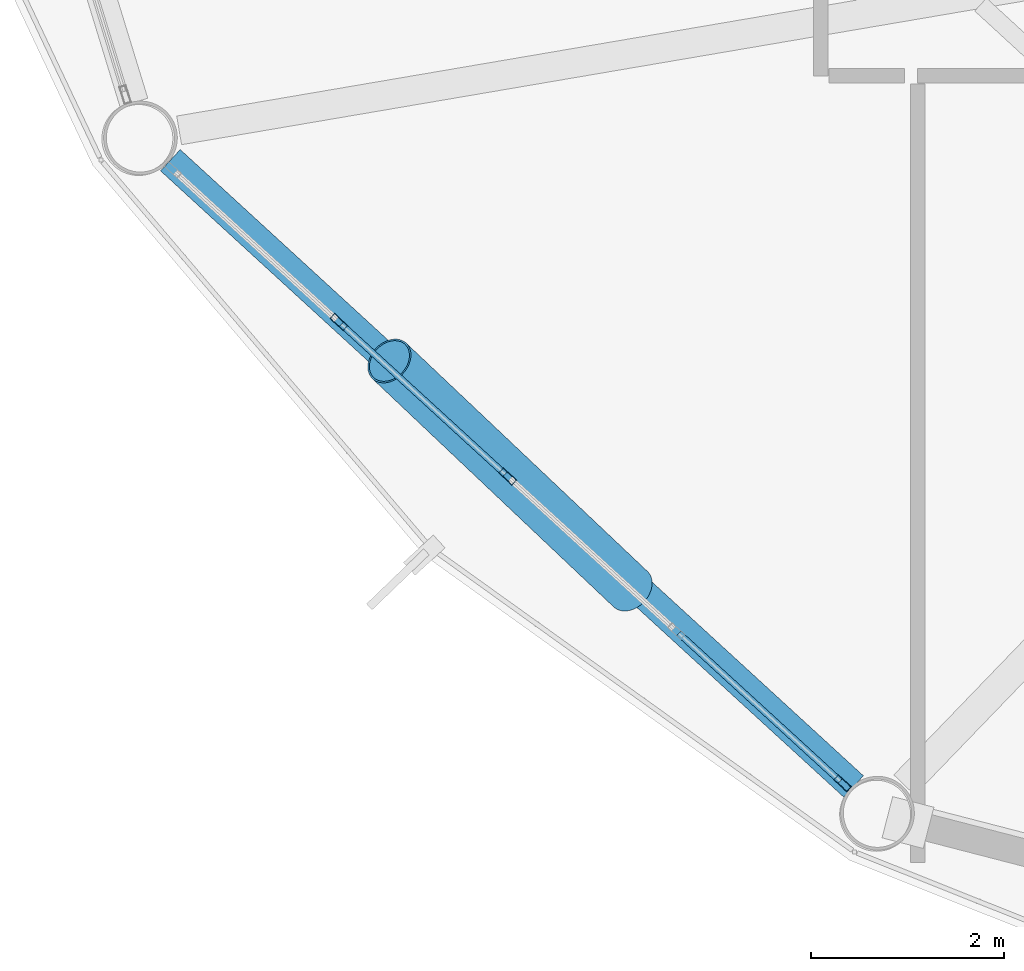
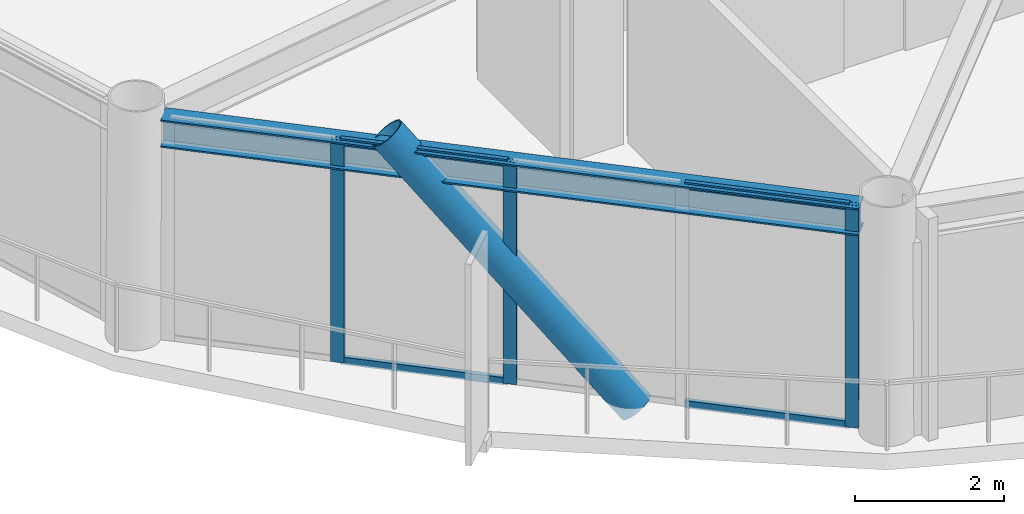
# One storey, part 2 of 26: 8 members, 1 beam, 1 element without a shape of its own.
"""IFC4 building model written with IfcOpenShell, lengths in metres."""

import ifcopenshell
import ifcopenshell.guid

model = None  # the IFC model being written
_history = None  # IfcOwnerHistory: only IFC2X3 demands one
_inside = {}  # id of a spatial element -> (the spatial element, [elements in it])
_under = {}  # id of a project, library or spatial element -> (it, [spatial elements below it])
_declared = {}  # id of a project -> (the project, [libraries it declares])
_typed = {}  # id of a type object -> (the type object, [elements of that type])
_made_of = {}  # id of a material, layer set ... -> (it, [elements and type objects made of it])


def new_model(schema):
    """Start an empty IFC model of exactly this schema.

    Asked for "IFC4X3", IfcOpenShell would pick the latest addendum, in which some entities
    have other attributes; the version numbers below select the first issue.
    IFC2X3 requires an IfcOwnerHistory on every rooted entity: one is made here for all.
    """
    global model, _history
    if schema == "IFC4X3":
        model = ifcopenshell.file(schema_version=(4, 3, 0, 0))
    else:
        model = ifcopenshell.file(schema=schema)
    _inside.clear()
    _under.clear()
    _declared.clear()
    _typed.clear()
    _made_of.clear()
    _history = None
    if model.schema == "IFC2X3":
        org = make("IfcOrganization", Name="unknown")
        user = make(
            "IfcPersonAndOrganization",
            ThePerson=make("IfcPerson", FamilyName="unknown"),
            TheOrganization=org,
        )
        app = make(
            "IfcApplication",
            ApplicationDeveloper=org,
            Version="unknown",
            ApplicationFullName="unknown",
            ApplicationIdentifier="unknown",
        )
        _history = make(
            "IfcOwnerHistory",
            OwningUser=user,
            OwningApplication=app,
            ChangeAction="ADDED",
            CreationDate=0,
        )
    return model


def make(cls, **values):
    """One entity of the class cls with the attributes given. An attribute that is None is left unset."""
    return model.create_entity(
        cls, **{name: value for name, value in values.items() if value is not None}
    )


def rooted(cls, **values):
    """An entity with a GlobalId (a new one), such as an element, a storey or a relation."""
    return make(cls, GlobalId=ifcopenshell.guid.new(), OwnerHistory=_history, **values)


def si_unit(unit_type, name, prefix=None):
    """IfcSIUnit, for example si_unit("LENGTHUNIT", "METRE", prefix="MILLI")."""
    return make("IfcSIUnit", UnitType=unit_type, Prefix=prefix, Name=name)


def assignment(units):
    """IfcUnitAssignment: the units of a project."""
    return None if units is None else make("IfcUnitAssignment", Units=units)


def point(xyz):
    """IfcCartesianPoint."""
    return None if xyz is None else make("IfcCartesianPoint", Coordinates=xyz)


def direction(xyz):
    """IfcDirection."""
    return None if xyz is None else make("IfcDirection", DirectionRatios=xyz)


def frame(location, z_axis=None, x_axis=None):
    """IfcAxis2Placement3D, a coordinate frame: its origin and axes. An axis left out is left unset."""
    return make(
        "IfcAxis2Placement3D",
        Location=point(location),
        Axis=direction(z_axis),
        RefDirection=direction(x_axis),
    )


def frame_2d(location, x_axis=None):
    """IfcAxis2Placement2D, a coordinate frame in the plane: its origin and x axis."""
    return make(
        "IfcAxis2Placement2D", Location=point(location), RefDirection=direction(x_axis)
    )


def origin():
    """The frame at (0, 0, 0) with its axes left unset."""
    return frame((0.0, 0.0, 0.0))


def origin_2d():
    """The frame at (0, 0) in the plane with its x axis left unset."""
    return frame_2d((0.0, 0.0))


def place(relative_to, where):
    """IfcLocalPlacement: puts the frame where relative to a parent placement (None: the world)."""
    return make(
        "IfcLocalPlacement", PlacementRelTo=relative_to, RelativePlacement=where
    )


def context(
    kind, dimensions, precision=None, world=None, true_north=None, identifier=None
):
    """IfcGeometricRepresentationContext, for example the 3D "Model" context."""
    return make(
        "IfcGeometricRepresentationContext",
        ContextIdentifier=identifier,
        ContextType=kind,
        CoordinateSpaceDimension=dimensions,
        Precision=precision,
        WorldCoordinateSystem=world,
        TrueNorth=true_north,
    )


def subcontext(parent, identifier, kind, view, scale=None):
    """IfcGeometricRepresentationSubContext, for example "Body" below "Model"."""
    return make(
        "IfcGeometricRepresentationSubContext",
        ContextIdentifier=identifier,
        ContextType=kind,
        ParentContext=parent,
        TargetScale=scale,
        TargetView=view,
    )


def project(units=None, contexts=None):
    """IfcProject with its units and contexts."""
    return rooted(
        "IfcProject",
        Name="project",
        RepresentationContexts=contexts,
        UnitsInContext=assignment(units),
    )


def spatial(cls, under=None, at=None, **own):
    """A site, building, storey or space (cls), placed at a placement, below another one or the project."""
    s = rooted(cls, ObjectPlacement=at, **own)
    if under is not None:
        _under.setdefault(under.id(), (under, []))[1].append(s)
    return s


def profile(cls, at=None, kind="AREA", **sizes):
    """A parametric profile (cls). Its sizes go by their IFC names, for example OverallWidth=200.0."""
    return make(cls, ProfileType=kind, Position=at, **sizes)


def hollow_rectangle(**sizes):
    """IfcRectangleHollowProfileDef."""
    return profile("IfcRectangleHollowProfileDef", **sizes)


def hollow_circle(**sizes):
    """IfcCircleHollowProfileDef."""
    return profile("IfcCircleHollowProfileDef", **sizes)


def i_section(**sizes):
    """IfcIShapeProfileDef."""
    return profile("IfcIShapeProfileDef", **sizes)


def extrude(swept, where, along, depth):
    """IfcExtrudedAreaSolid: the profile swept, set in the frame where, extruded along a direction by depth."""
    return make(
        "IfcExtrudedAreaSolid",
        SweptArea=swept,
        Position=where,
        ExtrudedDirection=direction(along),
        Depth=depth,
    )


def shape(context_of_items, identifier, shape_type, items):
    """IfcShapeRepresentation: the items that make up one representation, for example the "Body"."""
    return make(
        "IfcShapeRepresentation",
        ContextOfItems=context_of_items,
        RepresentationIdentifier=identifier,
        RepresentationType=shape_type,
        Items=items,
    )


def material(Name=None, Category=None):
    """IfcMaterial."""
    return make("IfcMaterial", Name=Name, Category=Category)


def layer(
    of_material, thickness, ventilated=None, Name=None, Category=None, Priority=None
):
    """IfcMaterialLayer: one layer of a wall or slab, of a material (None: an air gap)."""
    return make(
        "IfcMaterialLayer",
        Material=of_material,
        LayerThickness=thickness,
        IsVentilated=ventilated,
        Name=Name,
        Category=Category,
        Priority=Priority,
    )


def layer_set(layers, Name=None):
    """IfcMaterialLayerSet."""
    return make("IfcMaterialLayerSet", MaterialLayers=layers, LayerSetName=Name)


def material_profile(
    of_material, cross_section, Name=None, Category=None, Priority=None
):
    """IfcMaterialProfile: a cross section and its material."""
    return make(
        "IfcMaterialProfile",
        Name=Name,
        Material=of_material,
        Profile=cross_section,
        Priority=Priority,
        Category=Category,
    )


def profile_set(profiles, Name=None, composite=None):
    """IfcMaterialProfileSet."""
    return make(
        "IfcMaterialProfileSet",
        Name=Name,
        MaterialProfiles=profiles,
        CompositeProfile=composite,
    )


def made_of(thing, what):
    """Note that an element or type object is made of a material, layer set ...; save() writes the relation."""
    if what is not None:
        _made_of.setdefault(what.id(), (what, []))[1].append(thing)
    return thing


def type_object(cls, material=None, **own):
    """A type object (cls), such as IfcWallType, which elements share."""
    return made_of(rooted(cls, **own), material)


def element(
    cls,
    number,
    at=None,
    inside=None,
    cuts=None,
    type_object=None,
    material=None,
    context=None,
    identifier="Body",
    shape_type=None,
    held_by="IfcProductDefinitionShape",
    body=None,
    shapes=None,
    **own,
):
    """One element of the class cls, such as IfcWall. Its Tag is "e" and its number.

    at: its placement. inside: the storey or other place that contains it. cuts: it is an
    opening in that element (IfcRelVoidsElement). A single representation is given by context,
    identifier, shape_type and body (its items); several are given by shapes. held_by: the class
    of the entity that holds the representations. save() writes the other relations.
    """
    e = rooted(cls, Tag="e%d" % number, ObjectPlacement=at, **own)
    if body is not None:
        shapes = [shape(context, identifier, shape_type, body)]
    if shapes is not None:
        e.Representation = make(held_by, Representations=shapes)
    if inside is not None:
        _inside.setdefault(inside.id(), (inside, []))[1].append(e)
    if cuts is not None:
        rooted(
            "IfcRelVoidsElement", RelatingBuildingElement=cuts, RelatedOpeningElement=e
        )
    if type_object is not None:
        _typed.setdefault(type_object.id(), (type_object, []))[1].append(e)
    return made_of(e, material)


def aggregate(whole, parts):
    """IfcRelAggregates: a whole, such as a stair, and the parts it consists of."""
    return rooted("IfcRelAggregates", RelatingObject=whole, RelatedObjects=parts)


def save(model, path):
    """Write the relations noted so far, then the file.

    IfcRelAggregates (storeys below a building ...), IfcRelContainedInSpatialStructure (elements
    in a storey), IfcRelDefinesByType, IfcRelAssociatesMaterial and IfcRelDeclares: one each for
    every whole, place, type object, material and project.
    """
    for whole, parts in _under.values():
        aggregate(whole, parts)
    for where, things in _inside.values():
        rooted(
            "IfcRelContainedInSpatialStructure",
            RelatedElements=things,
            RelatingStructure=where,
        )
    for kind, things in _typed.values():
        rooted("IfcRelDefinesByType", RelatedObjects=things, RelatingType=kind)
    for what, things in _made_of.values():
        rooted("IfcRelAssociatesMaterial", RelatedObjects=things, RelatingMaterial=what)
    for by, libraries in _declared.values():
        rooted("IfcRelDeclares", RelatingContext=by, RelatedDefinitions=libraries)
    model.write(path)


model = new_model("IFC4")

# Units and contexts
model_context = context("Model", 3, precision=1e-05, world=origin(), true_north=direction((0.0, 1.0)))
body_context = subcontext(model_context, "Body", "Model", "MODEL_VIEW")
ifc_project = project(units=[si_unit("LENGTHUNIT", "METRE"), si_unit("AREAUNIT", "SQUARE_METRE"), si_unit("VOLUMEUNIT", "CUBIC_METRE"), si_unit("PLANEANGLEUNIT", "RADIAN"), si_unit("MASSUNIT", "GRAM", prefix="KILO")], contexts=[model_context])

# Site, building, storey
site_placement = place(None, origin())
site = spatial("IfcSite", under=ifc_project, at=site_placement, CompositionType="ELEMENT")
building_placement = place(site_placement, origin())
building = spatial("IfcBuilding", under=site, at=building_placement, Name="Varnakorn Sky Granary", CompositionType="ELEMENT")
storey_placement = place(building_placement, frame((0.0, 0.0, 138.300048828125)))
storey = spatial("IfcBuildingStorey", under=building, at=storey_placement, Name="L34", CompositionType="ELEMENT", Elevation=138.300048828125)

# Beam
ifc_material_1 = material(Name="Steel S355JR", Category="steel")
ifc_material_profile_1 = material_profile(ifc_material_1, i_section(OverallWidth=0.300048828125, OverallDepth=0.449951171875, WebThickness=0.013916015625, FlangeThickness=0.02587890625, at=origin_2d()), Name="HE 450 B")
ifc_profile_set_1 = profile_set([ifc_material_profile_1], Name="Steel S355JR")
beam_type = type_object("IfcBeamType", Name="BM-SPD-Z3", PredefinedType="SPANDREL", material=ifc_profile_set_1)
beam_placement = place(storey_placement, frame((-19.227783203125, -9.771240234375, 3.4150390625), z_axis=(0.737177396724, -0.675699256888, 0.0), x_axis=(0.675699256888, 0.737177396724, 0.0)))
element("IfcBeam", 1, at=beam_placement, inside=storey, type_object=beam_type, Name="Perimeter Spandrel Ring Beam RB08 L34", PredefinedType="SPANDREL", context=body_context, shape_type="SweptSolid", body=[
    extrude(i_section(OverallWidth=0.300048828125, OverallDepth=0.449951171875, WebThickness=0.013916015625, FlangeThickness=0.02587890625, at=origin_2d()), origin(), (0.0, 0.0, 1.0), 9.58642578125),
])

# Curtain wall, members
ifc_material_2 = material(Name="Anodised Bronze Aluminium Alloy 6063-T6", Category="aluminium")
ifc_layer = layer(ifc_material_2, 0.179931640625, Name="Anodised Bronze Aluminium Alloy 6063-T6")
ifc_layer_set = layer_set([ifc_layer], Name="Anodised Bronze Aluminium Alloy 6063-T6")
curtain_wall_type = type_object("IfcCurtainWallType", Name="CW-FRM-2", PredefinedType="USERDEFINED", material=ifc_layer_set)
curtain_wall_placement = place(storey_placement, origin())
curtain_wall = element("IfcCurtainWall", 2, at=curtain_wall_placement, inside=storey, type_object=curtain_wall_type, Name="Unitised Curtain Wall CW4 CW-L34-B08", ObjectType="CURTAIN WALL", PredefinedType="USERDEFINED")
ifc_material_profile_2 = material_profile(ifc_material_2, hollow_rectangle(XDim=0.070068359375, YDim=0.18505859375, WallThickness=0.00390625, at=origin_2d()), Name="ALU MULL 70x185")
ifc_profile_set_2 = profile_set([ifc_material_profile_2], Name="Anodised Bronze Aluminium Alloy 6063-T6")
member_type_1 = type_object("IfcMemberType", Name="CW-FRM-2-MULL", PredefinedType="MULLION", material=ifc_profile_set_2)
member_1_placement = place(storey_placement, frame((-12.27490234375, -16.216064453125, 0.0), z_axis=(0.0, 0.0, 1.0), x_axis=(-0.675438035219, -0.737416748236, 0.0)))
member_1 = element("IfcMember", 3, at=member_1_placement, type_object=member_type_1, Name="CW4 mullion 1", PredefinedType="MULLION", context=body_context, shape_type="SweptSolid", body=[
    extrude(hollow_rectangle(XDim=0.070068359375, YDim=0.18505859375, WallThickness=0.00390625, at=origin_2d()), origin(), (0.0, 0.0, 1.0), 3.639892578125),
])
member_2_placement = place(storey_placement, frame((-15.739501953125, -13.042724609375, 0.0), z_axis=(0.0, 0.0, 1.0), x_axis=(-0.675438035219, -0.737416748236, 0.0)))
member_2 = element("IfcMember", 4, at=member_2_placement, type_object=member_type_1, Name="CW4 mullion 3", PredefinedType="MULLION", context=body_context, shape_type="SweptSolid", body=[
    extrude(hollow_rectangle(XDim=0.070068359375, YDim=0.18505859375, WallThickness=0.00390625, at=origin_2d()), origin(), (0.0, 0.0, 1.0), 3.639892578125),
])
member_3_placement = place(storey_placement, frame((-17.484619140625, -11.4443359375, 0.0), z_axis=(0.0, 0.0, 1.0), x_axis=(-0.675438035219, -0.737416748236, 0.0)))
member_3 = element("IfcMember", 5, at=member_3_placement, type_object=member_type_1, Name="CW4 mullion 4", PredefinedType="MULLION", context=body_context, shape_type="SweptSolid", body=[
    extrude(hollow_rectangle(XDim=0.070068359375, YDim=0.18505859375, WallThickness=0.00390625, at=origin_2d()), origin(), (0.0, 0.0, 1.0), 3.639892578125),
])
ifc_material_profile_3 = material_profile(ifc_material_2, hollow_rectangle(XDim=0.06494140625, YDim=0.1201171875, WallThickness=0.00341796875, at=origin_2d()), Name="ALU TRAN 65x120")
ifc_profile_set_3 = profile_set([ifc_material_profile_3], Name="Anodised Bronze Aluminium Alloy 6063-T6")
member_type_2 = type_object("IfcMemberType", Name="CW-FRM-2-TRAN", PredefinedType="USERDEFINED", material=ifc_profile_set_3)
member_4_placement = place(storey_placement, frame((-12.30078125, -16.1923828125, 0.032470703125), z_axis=(-0.737409502372, 0.675445945885, 0.0), x_axis=(-0.675445945885, -0.737409502372, 0.0)))
member_4 = element("IfcMember", 6, at=member_4_placement, type_object=member_type_2, Name="CW4 transom 1.1", ObjectType="TRANSOM", PredefinedType="USERDEFINED", context=body_context, shape_type="SweptSolid", body=[
    extrude(hollow_rectangle(XDim=0.06494140625, YDim=0.1201171875, WallThickness=0.00341796875, at=origin_2d()), origin(), (0.0, 0.0, 1.0), 2.26171875),
])
member_5_placement = place(storey_placement, frame((-12.30078125, -16.1923828125, 3.607421875), z_axis=(-0.737409502372, 0.675445945885, 0.0), x_axis=(-0.675445945885, -0.737409502372, 0.0)))
member_5 = element("IfcMember", 7, at=member_5_placement, type_object=member_type_2, Name="CW4 transom 1.2", ObjectType="TRANSOM", PredefinedType="USERDEFINED", context=body_context, shape_type="SweptSolid", body=[
    extrude(hollow_rectangle(XDim=0.06494140625, YDim=0.1201171875, WallThickness=0.00341796875, at=origin_2d()), origin(), (0.0, 0.0, 1.0), 2.26171875),
])
member_6_placement = place(storey_placement, frame((-15.765380859375, -13.01904296875, 0.032470703125), z_axis=(-0.737418874608, 0.675435713723, 0.0), x_axis=(-0.675435713723, -0.737418874608, 0.0)))
member_6 = element("IfcMember", 8, at=member_6_placement, type_object=member_type_2, Name="CW4 transom 3.1", ObjectType="TRANSOM", PredefinedType="USERDEFINED", context=body_context, shape_type="SweptSolid", body=[
    extrude(hollow_rectangle(XDim=0.06494140625, YDim=0.1201171875, WallThickness=0.00341796875, at=origin_2d()), origin(), (0.0, 0.0, 1.0), 2.29638671875),
])
member_7_placement = place(storey_placement, frame((-15.765380859375, -13.01904296875, 3.607421875), z_axis=(-0.737418874608, 0.675435713723, 0.0), x_axis=(-0.675435713723, -0.737418874608, 0.0)))
member_7 = element("IfcMember", 9, at=member_7_placement, type_object=member_type_2, Name="CW4 transom 3.2", ObjectType="TRANSOM", PredefinedType="USERDEFINED", context=body_context, shape_type="SweptSolid", body=[
    extrude(hollow_rectangle(XDim=0.06494140625, YDim=0.1201171875, WallThickness=0.00341796875, at=origin_2d()), origin(), (0.0, 0.0, 1.0), 2.29638671875),
])
aggregate(curtain_wall, [member_1, member_2, member_3, member_4, member_5, member_6, member_7])

# Member
ifc_material_3 = material(Name="Steel S460M", Category="steel")
ifc_material_profile_4 = material_profile(ifc_material_3, hollow_circle(Radius=0.25390625, WallThickness=0.01806640625, at=origin_2d()), Name="CHS 508x18")
ifc_profile_set_4 = profile_set([ifc_material_profile_4], Name="Steel S460M")
member_type_3 = type_object("IfcMemberType", Name="MB-DIAG-T2", PredefinedType="BRACE", material=ifc_profile_set_4)
member_8_placement = place(storey_placement, frame((-14.467529296875, -14.207763671875, -0.130126953125), z_axis=(-0.478676855407, 0.452817624228, 0.752213179415), x_axis=(-0.687212022838, -0.726456905582, 0.0)))
element("IfcMember", 10, at=member_8_placement, inside=storey, type_object=member_type_3, Name="Perimeter CHS Diagrid Brace DG08 L34", PredefinedType="BRACE", context=body_context, shape_type="SweptSolid", body=[
    extrude(hollow_circle(Radius=0.25390625, WallThickness=0.01806640625, at=origin_2d()), origin(), (0.0, 0.0, 1.0), 5.21142578125),
])

save(model, "model.ifc")
